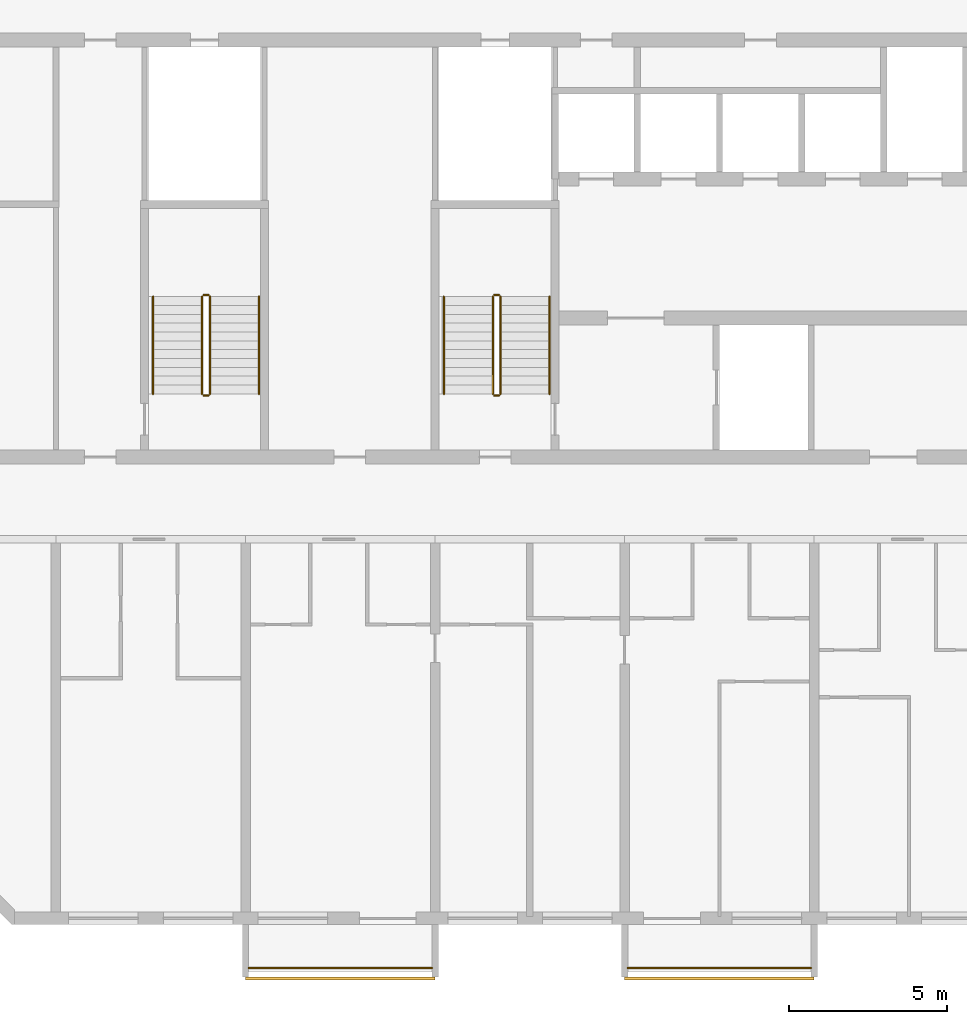
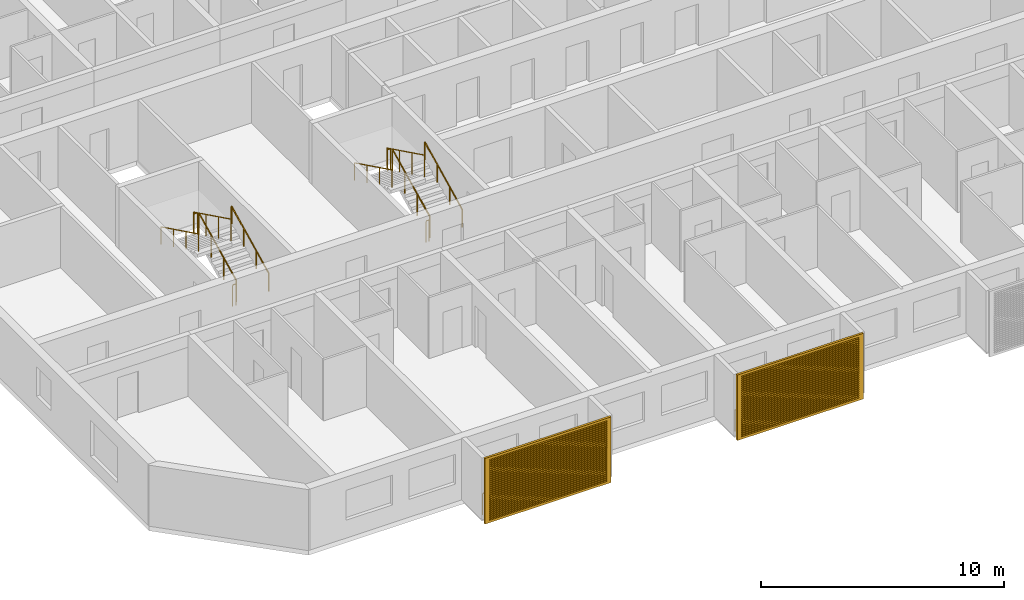
# One storey, part 15 of 33: 14 railings, 2 shading devices.
"""IFC4 building model written with IfcOpenShell, lengths in metres."""

from ifc_helpers import new_model, si_unit, direction, frame, origin, origin_2d, place, context, subcontext, project, spatial, polyline, circle, outline, extrude, source, transform, mapped, material, material_profile, profile_set, type_object, element, save


model = new_model("IFC4")

# Units and contexts
model_context = context("Model", 3, precision=1e-05, world=origin(), true_north=direction((0.0, 1.0)))
body_context = subcontext(model_context, "Body", "Model", "MODEL_VIEW")
ifc_project = project(units=[si_unit("LENGTHUNIT", "METRE"), si_unit("AREAUNIT", "SQUARE_METRE"), si_unit("VOLUMEUNIT", "CUBIC_METRE"), si_unit("PLANEANGLEUNIT", "RADIAN"), si_unit("MASSUNIT", "GRAM", prefix="KILO")], contexts=[model_context])

# Site, building, storey
site_placement = place(None, origin())
site = spatial("IfcSite", under=ifc_project, at=site_placement, CompositionType="ELEMENT")
building_placement = place(site_placement, origin())
building = spatial("IfcBuilding", under=site, at=building_placement, Name="Poui Terraces", CompositionType="ELEMENT")
storey_placement = place(building_placement, frame((0.0, 0.0, 135.60009765625)))
storey = spatial("IfcBuildingStorey", under=building, at=storey_placement, Name="L37", CompositionType="ELEMENT", Elevation=135.60009765625)

# Railings
ifc_material_1 = material(Name="Painted steel fretwork", Category="steel")
railing_type_1 = type_object("IfcRailingType", Name="BALCONY GUARD 1100", PredefinedType="GUARDRAIL", material=ifc_material_1)
for number, where, name in (
    (1, (24.10009765625, -1.570068359375, 0.0), "BALCONY GUARD"),
    (2, (36.10009765625, -1.570068359375, 0.0), "BALCONY GUARD"),
):
    element("IfcRailing", number, at=place(storey_placement, frame(where)), inside=storey, type_object=railing_type_1, Name=name, PredefinedType="GUARDRAIL", context=body_context, shape_type="SweptSolid", body=[
        extrude(circle(Radius=0.02392578125, at=origin_2d()), frame((0.0, 0.0, 1.076171875), z_axis=(1.0, 0.0, 0.0), x_axis=(0.0, 1.0, 0.0)), (0.0, 0.0, 1.0), 5.7998046875),
        extrude(circle(Radius=0.02099609375, at=origin_2d()), origin(), (0.0, 0.0, 1.0), 1.052001953125),
        extrude(circle(Radius=0.02099609375, at=origin_2d()), frame((0.966552734375, 0.0, 0.0)), (0.0, 0.0, 1.0), 1.052001953125),
        extrude(circle(Radius=0.02099609375, at=origin_2d()), frame((1.933349609375, 0.0, 0.0)), (0.0, 0.0, 1.0), 1.052001953125),
        extrude(circle(Radius=0.02099609375, at=origin_2d()), frame((2.89990234375, 0.0, 0.0)), (0.0, 0.0, 1.0), 1.052001953125),
        extrude(circle(Radius=0.02099609375, at=origin_2d()), frame((3.866455078125, 0.0, 0.0)), (0.0, 0.0, 1.0), 1.052001953125),
        extrude(circle(Radius=0.02099609375, at=origin_2d()), frame((4.833251953125, 0.0, 0.0)), (0.0, 0.0, 1.0), 1.052001953125),
        extrude(circle(Radius=0.02099609375, at=origin_2d()), frame((5.7998046875, 0.0, 0.0)), (0.0, 0.0, 1.0), 1.052001953125),
    ])
ifc_material_2 = material(Name="Galvanised steel balustrade", Category="steel")
railing_type_2 = type_object("IfcRailingType", Name="STAIR GUARD 1100", PredefinedType="GUARDRAIL", material=ifc_material_2)
railing_1_placement = place(storey_placement, frame((32.074951171875, 16.60009765625, 0.137451171875)))
element("IfcRailing", 3, at=railing_1_placement, inside=storey, type_object=railing_type_2, Name="L37 ST-CW stair guard 1", PredefinedType="GUARDRAIL", context=body_context, shape_type="SweptSolid", body=[
    extrude(circle(Radius=0.02392578125, at=origin_2d()), frame((0.0, 0.0, 1.076171875), z_axis=(0.0, 0.897606190399, 0.440798283751), x_axis=(-1.0, 0.0, 0.0)), (0.0, 0.0, 1.0), 3.43115234375),
    extrude(circle(Radius=0.02099609375, at=origin_2d()), origin(), (0.0, 0.0, 1.0), 1.052001953125),
    extrude(circle(Radius=0.02099609375, at=origin_2d()), frame((0.0, 1.026611328125, 0.504150390625)), (0.0, 0.0, 1.0), 1.052001953125),
    extrude(circle(Radius=0.02099609375, at=origin_2d()), frame((0.0, 2.05322265625, 1.00830078125)), (0.0, 0.0, 1.0), 1.052001953125),
    extrude(circle(Radius=0.02099609375, at=origin_2d()), frame((0.0, 3.079833984375, 1.512451171875)), (0.0, 0.0, 1.0), 1.052001953125),
])
railing_2_placement = place(storey_placement, frame((32.02490234375, 19.72998046875, 1.64990234375)))
element("IfcRailing", 4, at=railing_2_placement, inside=storey, type_object=railing_type_2, Name="L37 ST-CW stair guard 2", PredefinedType="GUARDRAIL", context=body_context, shape_type="SweptSolid", body=[
    extrude(circle(Radius=0.02392578125, at=origin_2d()), frame((0.0, 0.0, 1.076171875), z_axis=(-1.0, 0.0, 0.0), x_axis=(0.0, -1.0, 0.0)), (0.0, 0.0, 1.0), 0.14990234375),
    extrude(circle(Radius=0.02099609375, at=origin_2d()), origin(), (0.0, 0.0, 1.0), 1.052001953125),
    extrude(circle(Radius=0.02099609375, at=origin_2d()), frame((-0.14990234375, 0.0, 0.0)), (0.0, 0.0, 1.0), 1.052001953125),
])
railing_3_placement = place(storey_placement, frame((31.824951171875, 19.679931640625, 1.787353515625)))
element("IfcRailing", 5, at=railing_3_placement, inside=storey, type_object=railing_type_2, Name="L37 ST-CW stair guard 3", PredefinedType="GUARDRAIL", context=body_context, shape_type="SweptSolid", body=[
    extrude(circle(Radius=0.02392578125, at=origin_2d()), frame((0.0, 0.0, 1.076171875), z_axis=(0.0, -0.897606190399, 0.440798283751), x_axis=(1.0, 0.0, 0.0)), (0.0, 0.0, 1.0), 3.43115234375),
    extrude(circle(Radius=0.02099609375, at=origin_2d()), origin(), (0.0, 0.0, 1.0), 1.052001953125),
    extrude(circle(Radius=0.02099609375, at=origin_2d()), frame((0.0, -1.026611328125, 0.504150390625)), (0.0, 0.0, 1.0), 1.052001953125),
    extrude(circle(Radius=0.02099609375, at=origin_2d()), frame((0.0, -2.05322265625, 1.00830078125)), (0.0, 0.0, 1.0), 1.052001953125),
    extrude(circle(Radius=0.02099609375, at=origin_2d()), frame((0.0, -3.079833984375, 1.512451171875)), (0.0, 0.0, 1.0), 1.052001953125),
])
railing_4_placement = place(storey_placement, frame((32.02490234375, 16.550048828125, 0.0)))
element("IfcRailing", 6, at=railing_4_placement, inside=storey, type_object=railing_type_2, Name="L37 ST-CW stair guard 4", PredefinedType="GUARDRAIL", context=body_context, shape_type="SweptSolid", body=[
    extrude(circle(Radius=0.02392578125, at=origin_2d()), frame((0.0, 0.0, 1.076171875), z_axis=(-1.0, 0.0, 0.0), x_axis=(0.0, -1.0, 0.0)), (0.0, 0.0, 1.0), 0.14990234375),
    extrude(circle(Radius=0.02099609375, at=origin_2d()), origin(), (0.0, 0.0, 1.0), 1.052001953125),
    extrude(circle(Radius=0.02099609375, at=origin_2d()), frame((-0.14990234375, 0.0, 0.0)), (0.0, 0.0, 1.0), 1.052001953125),
])
railing_5_placement = place(storey_placement, frame((22.875, 16.60009765625, 0.137451171875)))
element("IfcRailing", 7, at=railing_5_placement, inside=storey, type_object=railing_type_2, Name="L37 ST-W stair guard 1", PredefinedType="GUARDRAIL", context=body_context, shape_type="SweptSolid", body=[
    extrude(circle(Radius=0.02392578125, at=origin_2d()), frame((0.0, 0.0, 1.076171875), z_axis=(0.0, 0.897606190399, 0.440798283751), x_axis=(-1.0, 0.0, 0.0)), (0.0, 0.0, 1.0), 3.43115234375),
    extrude(circle(Radius=0.02099609375, at=origin_2d()), origin(), (0.0, 0.0, 1.0), 1.052001953125),
    extrude(circle(Radius=0.02099609375, at=origin_2d()), frame((0.0, 1.026611328125, 0.504150390625)), (0.0, 0.0, 1.0), 1.052001953125),
    extrude(circle(Radius=0.02099609375, at=origin_2d()), frame((0.0, 2.05322265625, 1.00830078125)), (0.0, 0.0, 1.0), 1.052001953125),
    extrude(circle(Radius=0.02099609375, at=origin_2d()), frame((0.0, 3.079833984375, 1.512451171875)), (0.0, 0.0, 1.0), 1.052001953125),
])
railing_6_placement = place(storey_placement, frame((22.824951171875, 19.72998046875, 1.64990234375)))
element("IfcRailing", 8, at=railing_6_placement, inside=storey, type_object=railing_type_2, Name="L37 ST-W stair guard 2", PredefinedType="GUARDRAIL", context=body_context, shape_type="SweptSolid", body=[
    extrude(circle(Radius=0.02392578125, at=origin_2d()), frame((0.0, 0.0, 1.076171875), z_axis=(-1.0, 0.0, 0.0), x_axis=(0.0, -1.0, 0.0)), (0.0, 0.0, 1.0), 0.14990234375),
    extrude(circle(Radius=0.02099609375, at=origin_2d()), origin(), (0.0, 0.0, 1.0), 1.052001953125),
    extrude(circle(Radius=0.02099609375, at=origin_2d()), frame((-0.14990234375, 0.0, 0.0)), (0.0, 0.0, 1.0), 1.052001953125),
])
railing_7_placement = place(storey_placement, frame((22.625, 19.679931640625, 1.787353515625)))
element("IfcRailing", 9, at=railing_7_placement, inside=storey, type_object=railing_type_2, Name="L37 ST-W stair guard 3", PredefinedType="GUARDRAIL", context=body_context, shape_type="SweptSolid", body=[
    extrude(circle(Radius=0.02392578125, at=origin_2d()), frame((0.0, 0.0, 1.076171875), z_axis=(0.0, -0.897606190399, 0.440798283751), x_axis=(1.0, 0.0, 0.0)), (0.0, 0.0, 1.0), 3.43115234375),
    extrude(circle(Radius=0.02099609375, at=origin_2d()), origin(), (0.0, 0.0, 1.0), 1.052001953125),
    extrude(circle(Radius=0.02099609375, at=origin_2d()), frame((0.0, -1.026611328125, 0.504150390625)), (0.0, 0.0, 1.0), 1.052001953125),
    extrude(circle(Radius=0.02099609375, at=origin_2d()), frame((0.0, -2.05322265625, 1.00830078125)), (0.0, 0.0, 1.0), 1.052001953125),
    extrude(circle(Radius=0.02099609375, at=origin_2d()), frame((0.0, -3.079833984375, 1.512451171875)), (0.0, 0.0, 1.0), 1.052001953125),
])
railing_8_placement = place(storey_placement, frame((22.824951171875, 16.550048828125, 0.0)))
element("IfcRailing", 10, at=railing_8_placement, inside=storey, type_object=railing_type_2, Name="L37 ST-W stair guard 4", PredefinedType="GUARDRAIL", context=body_context, shape_type="SweptSolid", body=[
    extrude(circle(Radius=0.02392578125, at=origin_2d()), frame((0.0, 0.0, 1.076171875), z_axis=(-1.0, 0.0, 0.0), x_axis=(0.0, -1.0, 0.0)), (0.0, 0.0, 1.0), 0.14990234375),
    extrude(circle(Radius=0.02099609375, at=origin_2d()), origin(), (0.0, 0.0, 1.0), 1.052001953125),
    extrude(circle(Radius=0.02099609375, at=origin_2d()), frame((-0.14990234375, 0.0, 0.0)), (0.0, 0.0, 1.0), 1.052001953125),
])
ifc_material_3 = material(Name="Stainless steel handrail", Category="steel")
railing_type_3 = type_object("IfcRailingType", Name="STAIR HANDRAIL 900", PredefinedType="HANDRAIL", material=ifc_material_3)
railing_9_placement = place(storey_placement, frame((33.625, 16.60009765625, 0.137451171875)))
element("IfcRailing", 11, at=railing_9_placement, inside=storey, type_object=railing_type_3, Name="L37 ST-CW stair handrail 1", PredefinedType="HANDRAIL", context=body_context, shape_type="SweptSolid", body=[
    extrude(circle(Radius=0.02392578125, at=origin_2d()), frame((0.0, 0.0, 0.8759765625), z_axis=(0.0, 0.897606190399, 0.440798283751), x_axis=(-1.0, 0.0, 0.0)), (0.0, 0.0, 1.0), 3.43115234375),
    extrude(circle(Radius=0.02099609375, at=origin_2d()), origin(), (0.0, 0.0, 1.0), 0.851806640625),
    extrude(circle(Radius=0.02099609375, at=origin_2d()), frame((0.0, 1.026611328125, 0.504150390625)), (0.0, 0.0, 1.0), 0.851806640625),
    extrude(circle(Radius=0.02099609375, at=origin_2d()), frame((0.0, 2.05322265625, 1.00830078125)), (0.0, 0.0, 1.0), 0.851806640625),
    extrude(circle(Radius=0.02099609375, at=origin_2d()), frame((0.0, 3.079833984375, 1.512451171875)), (0.0, 0.0, 1.0), 0.851806640625),
])
railing_10_placement = place(storey_placement, frame((30.27490234375, 19.679931640625, 1.787353515625)))
element("IfcRailing", 12, at=railing_10_placement, inside=storey, type_object=railing_type_3, Name="L37 ST-CW stair handrail 2", PredefinedType="HANDRAIL", context=body_context, shape_type="SweptSolid", body=[
    extrude(circle(Radius=0.02392578125, at=origin_2d()), frame((0.0, 0.0, 0.8759765625), z_axis=(0.0, -0.897606190399, 0.440798283751), x_axis=(1.0, 0.0, 0.0)), (0.0, 0.0, 1.0), 3.43115234375),
    extrude(circle(Radius=0.02099609375, at=origin_2d()), origin(), (0.0, 0.0, 1.0), 0.851806640625),
    extrude(circle(Radius=0.02099609375, at=origin_2d()), frame((0.0, -1.026611328125, 0.504150390625)), (0.0, 0.0, 1.0), 0.851806640625),
    extrude(circle(Radius=0.02099609375, at=origin_2d()), frame((0.0, -2.05322265625, 1.00830078125)), (0.0, 0.0, 1.0), 0.851806640625),
    extrude(circle(Radius=0.02099609375, at=origin_2d()), frame((0.0, -3.079833984375, 1.512451171875)), (0.0, 0.0, 1.0), 0.851806640625),
])
railing_11_placement = place(storey_placement, frame((24.425048828125, 16.60009765625, 0.137451171875)))
element("IfcRailing", 13, at=railing_11_placement, inside=storey, type_object=railing_type_3, Name="L37 ST-W stair handrail 1", PredefinedType="HANDRAIL", context=body_context, shape_type="SweptSolid", body=[
    extrude(circle(Radius=0.02392578125, at=origin_2d()), frame((0.0, 0.0, 0.8759765625), z_axis=(0.0, 0.897606190399, 0.440798283751), x_axis=(-1.0, 0.0, 0.0)), (0.0, 0.0, 1.0), 3.43115234375),
    extrude(circle(Radius=0.02099609375, at=origin_2d()), origin(), (0.0, 0.0, 1.0), 0.851806640625),
    extrude(circle(Radius=0.02099609375, at=origin_2d()), frame((0.0, 1.026611328125, 0.504150390625)), (0.0, 0.0, 1.0), 0.851806640625),
    extrude(circle(Radius=0.02099609375, at=origin_2d()), frame((0.0, 2.05322265625, 1.00830078125)), (0.0, 0.0, 1.0), 0.851806640625),
    extrude(circle(Radius=0.02099609375, at=origin_2d()), frame((0.0, 3.079833984375, 1.512451171875)), (0.0, 0.0, 1.0), 0.851806640625),
])
railing_12_placement = place(storey_placement, frame((21.074951171875, 19.679931640625, 1.787353515625)))
element("IfcRailing", 14, at=railing_12_placement, inside=storey, type_object=railing_type_3, Name="L37 ST-W stair handrail 2", PredefinedType="HANDRAIL", context=body_context, shape_type="SweptSolid", body=[
    extrude(circle(Radius=0.02392578125, at=origin_2d()), frame((0.0, 0.0, 0.8759765625), z_axis=(0.0, -0.897606190399, 0.440798283751), x_axis=(1.0, 0.0, 0.0)), (0.0, 0.0, 1.0), 3.43115234375),
    extrude(circle(Radius=0.02099609375, at=origin_2d()), origin(), (0.0, 0.0, 1.0), 0.851806640625),
    extrude(circle(Radius=0.02099609375, at=origin_2d()), frame((0.0, -1.026611328125, 0.504150390625)), (0.0, 0.0, 1.0), 0.851806640625),
    extrude(circle(Radius=0.02099609375, at=origin_2d()), frame((0.0, -2.05322265625, 1.00830078125)), (0.0, 0.0, 1.0), 0.851806640625),
    extrude(circle(Radius=0.02099609375, at=origin_2d()), frame((0.0, -3.079833984375, 1.512451171875)), (0.0, 0.0, 1.0), 0.851806640625),
])

# Shading devices
ifc_material_4 = material(Name="Aluminium louvre", Category="aluminium")
ifc_material_profile = material_profile(ifc_material_4, outline(polyline([(-3.0, -1.64990234375), (3.0, -1.64990234375), (3.0, 1.64990234375), (-3.0, 1.64990234375), (-3.0, -1.64990234375)]), holes=[polyline([(-2.800048828125, -1.530029296875), (2.800048828125, -1.530029296875), (2.800048828125, -1.469970703125), (-2.800048828125, -1.469970703125), (-2.800048828125, -1.530029296875)]), polyline([(-2.800048828125, -1.429931640625), (2.800048828125, -1.429931640625), (2.800048828125, -1.3701171875), (-2.800048828125, -1.3701171875), (-2.800048828125, -1.429931640625)]), polyline([(-2.800048828125, -1.330078125), (2.800048828125, -1.330078125), (2.800048828125, -1.27001953125), (-2.800048828125, -1.27001953125), (-2.800048828125, -1.330078125)]), polyline([(-2.800048828125, -1.22998046875), (2.800048828125, -1.22998046875), (2.800048828125, -1.169921875), (-2.800048828125, -1.169921875), (-2.800048828125, -1.22998046875)]), polyline([(-2.800048828125, -1.1298828125), (2.800048828125, -1.1298828125), (2.800048828125, -1.070068359375), (-2.800048828125, -1.070068359375), (-2.800048828125, -1.1298828125)]), polyline([(-2.800048828125, -1.030029296875), (2.800048828125, -1.030029296875), (2.800048828125, -0.969970703125), (-2.800048828125, -0.969970703125), (-2.800048828125, -1.030029296875)]), polyline([(-2.800048828125, -0.929931640625), (2.800048828125, -0.929931640625), (2.800048828125, -0.8701171875), (-2.800048828125, -0.8701171875), (-2.800048828125, -0.929931640625)]), polyline([(-2.800048828125, -0.830078125), (2.800048828125, -0.830078125), (2.800048828125, -0.77001953125), (-2.800048828125, -0.77001953125), (-2.800048828125, -0.830078125)]), polyline([(-2.800048828125, -0.72998046875), (2.800048828125, -0.72998046875), (2.800048828125, -0.669921875), (-2.800048828125, -0.669921875), (-2.800048828125, -0.72998046875)]), polyline([(-2.800048828125, -0.6298828125), (2.800048828125, -0.6298828125), (2.800048828125, -0.570068359375), (-2.800048828125, -0.570068359375), (-2.800048828125, -0.6298828125)]), polyline([(-2.800048828125, -0.530029296875), (2.800048828125, -0.530029296875), (2.800048828125, -0.469970703125), (-2.800048828125, -0.469970703125), (-2.800048828125, -0.530029296875)]), polyline([(-2.800048828125, -0.429931640625), (2.800048828125, -0.429931640625), (2.800048828125, -0.3701171875), (-2.800048828125, -0.3701171875), (-2.800048828125, -0.429931640625)]), polyline([(-2.800048828125, -0.330078125), (2.800048828125, -0.330078125), (2.800048828125, -0.27001953125), (-2.800048828125, -0.27001953125), (-2.800048828125, -0.330078125)]), polyline([(-2.800048828125, -0.22998046875), (2.800048828125, -0.22998046875), (2.800048828125, -0.169921875), (-2.800048828125, -0.169921875), (-2.800048828125, -0.22998046875)]), polyline([(-2.800048828125, -0.1298828125), (2.800048828125, -0.1298828125), (2.800048828125, -0.070068359375), (-2.800048828125, -0.070068359375), (-2.800048828125, -0.1298828125)]), polyline([(-2.800048828125, -0.030029296875), (2.800048828125, -0.030029296875), (2.800048828125, 0.030029296875), (-2.800048828125, 0.030029296875), (-2.800048828125, -0.030029296875)]), polyline([(-2.800048828125, 0.070068359375), (2.800048828125, 0.070068359375), (2.800048828125, 0.1298828125), (-2.800048828125, 0.1298828125), (-2.800048828125, 0.070068359375)]), polyline([(-2.800048828125, 0.169921875), (2.800048828125, 0.169921875), (2.800048828125, 0.22998046875), (-2.800048828125, 0.22998046875), (-2.800048828125, 0.169921875)]), polyline([(-2.800048828125, 0.27001953125), (2.800048828125, 0.27001953125), (2.800048828125, 0.330078125), (-2.800048828125, 0.330078125), (-2.800048828125, 0.27001953125)]), polyline([(-2.800048828125, 0.3701171875), (2.800048828125, 0.3701171875), (2.800048828125, 0.429931640625), (-2.800048828125, 0.429931640625), (-2.800048828125, 0.3701171875)]), polyline([(-2.800048828125, 0.469970703125), (2.800048828125, 0.469970703125), (2.800048828125, 0.530029296875), (-2.800048828125, 0.530029296875), (-2.800048828125, 0.469970703125)]), polyline([(-2.800048828125, 0.570068359375), (2.800048828125, 0.570068359375), (2.800048828125, 0.6298828125), (-2.800048828125, 0.6298828125), (-2.800048828125, 0.570068359375)]), polyline([(-2.800048828125, 0.669921875), (2.800048828125, 0.669921875), (2.800048828125, 0.72998046875), (-2.800048828125, 0.72998046875), (-2.800048828125, 0.669921875)]), polyline([(-2.800048828125, 0.77001953125), (2.800048828125, 0.77001953125), (2.800048828125, 0.830078125), (-2.800048828125, 0.830078125), (-2.800048828125, 0.77001953125)]), polyline([(-2.800048828125, 0.8701171875), (2.800048828125, 0.8701171875), (2.800048828125, 0.929931640625), (-2.800048828125, 0.929931640625), (-2.800048828125, 0.8701171875)]), polyline([(-2.800048828125, 0.969970703125), (2.800048828125, 0.969970703125), (2.800048828125, 1.030029296875), (-2.800048828125, 1.030029296875), (-2.800048828125, 0.969970703125)]), polyline([(-2.800048828125, 1.070068359375), (2.800048828125, 1.070068359375), (2.800048828125, 1.1298828125), (-2.800048828125, 1.1298828125), (-2.800048828125, 1.070068359375)]), polyline([(-2.800048828125, 1.169921875), (2.800048828125, 1.169921875), (2.800048828125, 1.22998046875), (-2.800048828125, 1.22998046875), (-2.800048828125, 1.169921875)]), polyline([(-2.800048828125, 1.27001953125), (2.800048828125, 1.27001953125), (2.800048828125, 1.330078125), (-2.800048828125, 1.330078125), (-2.800048828125, 1.27001953125)]), polyline([(-2.800048828125, 1.3701171875), (2.800048828125, 1.3701171875), (2.800048828125, 1.429931640625), (-2.800048828125, 1.429931640625), (-2.800048828125, 1.3701171875)]), polyline([(-2.800048828125, 1.469970703125), (2.800048828125, 1.469970703125), (2.800048828125, 1.530029296875), (-2.800048828125, 1.530029296875), (-2.800048828125, 1.469970703125)])]), Name="JALOUSIE LOUVRE SHUTTER 6000X3300")
ifc_profile_set = profile_set([ifc_material_profile], Name="Aluminium louvre")
shading_device_type = type_object("IfcShadingDeviceType", Name="JALOUSIE LOUVRE SHUTTER 6000X3300", PredefinedType="JALOUSIE", material=ifc_profile_set)
shared_shape = source(origin(), body_context, "Body", "SweptSolid", [
    extrude(outline(polyline([(-3.0, -1.64990234375), (3.0, -1.64990234375), (3.0, 1.64990234375), (-3.0, 1.64990234375), (-3.0, -1.64990234375)]), holes=[polyline([(-2.800048828125, -1.530029296875), (2.800048828125, -1.530029296875), (2.800048828125, -1.469970703125), (-2.800048828125, -1.469970703125), (-2.800048828125, -1.530029296875)]), polyline([(-2.800048828125, -1.429931640625), (2.800048828125, -1.429931640625), (2.800048828125, -1.3701171875), (-2.800048828125, -1.3701171875), (-2.800048828125, -1.429931640625)]), polyline([(-2.800048828125, -1.330078125), (2.800048828125, -1.330078125), (2.800048828125, -1.27001953125), (-2.800048828125, -1.27001953125), (-2.800048828125, -1.330078125)]), polyline([(-2.800048828125, -1.22998046875), (2.800048828125, -1.22998046875), (2.800048828125, -1.169921875), (-2.800048828125, -1.169921875), (-2.800048828125, -1.22998046875)]), polyline([(-2.800048828125, -1.1298828125), (2.800048828125, -1.1298828125), (2.800048828125, -1.070068359375), (-2.800048828125, -1.070068359375), (-2.800048828125, -1.1298828125)]), polyline([(-2.800048828125, -1.030029296875), (2.800048828125, -1.030029296875), (2.800048828125, -0.969970703125), (-2.800048828125, -0.969970703125), (-2.800048828125, -1.030029296875)]), polyline([(-2.800048828125, -0.929931640625), (2.800048828125, -0.929931640625), (2.800048828125, -0.8701171875), (-2.800048828125, -0.8701171875), (-2.800048828125, -0.929931640625)]), polyline([(-2.800048828125, -0.830078125), (2.800048828125, -0.830078125), (2.800048828125, -0.77001953125), (-2.800048828125, -0.77001953125), (-2.800048828125, -0.830078125)]), polyline([(-2.800048828125, -0.72998046875), (2.800048828125, -0.72998046875), (2.800048828125, -0.669921875), (-2.800048828125, -0.669921875), (-2.800048828125, -0.72998046875)]), polyline([(-2.800048828125, -0.6298828125), (2.800048828125, -0.6298828125), (2.800048828125, -0.570068359375), (-2.800048828125, -0.570068359375), (-2.800048828125, -0.6298828125)]), polyline([(-2.800048828125, -0.530029296875), (2.800048828125, -0.530029296875), (2.800048828125, -0.469970703125), (-2.800048828125, -0.469970703125), (-2.800048828125, -0.530029296875)]), polyline([(-2.800048828125, -0.429931640625), (2.800048828125, -0.429931640625), (2.800048828125, -0.3701171875), (-2.800048828125, -0.3701171875), (-2.800048828125, -0.429931640625)]), polyline([(-2.800048828125, -0.330078125), (2.800048828125, -0.330078125), (2.800048828125, -0.27001953125), (-2.800048828125, -0.27001953125), (-2.800048828125, -0.330078125)]), polyline([(-2.800048828125, -0.22998046875), (2.800048828125, -0.22998046875), (2.800048828125, -0.169921875), (-2.800048828125, -0.169921875), (-2.800048828125, -0.22998046875)]), polyline([(-2.800048828125, -0.1298828125), (2.800048828125, -0.1298828125), (2.800048828125, -0.070068359375), (-2.800048828125, -0.070068359375), (-2.800048828125, -0.1298828125)]), polyline([(-2.800048828125, -0.030029296875), (2.800048828125, -0.030029296875), (2.800048828125, 0.030029296875), (-2.800048828125, 0.030029296875), (-2.800048828125, -0.030029296875)]), polyline([(-2.800048828125, 0.070068359375), (2.800048828125, 0.070068359375), (2.800048828125, 0.1298828125), (-2.800048828125, 0.1298828125), (-2.800048828125, 0.070068359375)]), polyline([(-2.800048828125, 0.169921875), (2.800048828125, 0.169921875), (2.800048828125, 0.22998046875), (-2.800048828125, 0.22998046875), (-2.800048828125, 0.169921875)]), polyline([(-2.800048828125, 0.27001953125), (2.800048828125, 0.27001953125), (2.800048828125, 0.330078125), (-2.800048828125, 0.330078125), (-2.800048828125, 0.27001953125)]), polyline([(-2.800048828125, 0.3701171875), (2.800048828125, 0.3701171875), (2.800048828125, 0.429931640625), (-2.800048828125, 0.429931640625), (-2.800048828125, 0.3701171875)]), polyline([(-2.800048828125, 0.469970703125), (2.800048828125, 0.469970703125), (2.800048828125, 0.530029296875), (-2.800048828125, 0.530029296875), (-2.800048828125, 0.469970703125)]), polyline([(-2.800048828125, 0.570068359375), (2.800048828125, 0.570068359375), (2.800048828125, 0.6298828125), (-2.800048828125, 0.6298828125), (-2.800048828125, 0.570068359375)]), polyline([(-2.800048828125, 0.669921875), (2.800048828125, 0.669921875), (2.800048828125, 0.72998046875), (-2.800048828125, 0.72998046875), (-2.800048828125, 0.669921875)]), polyline([(-2.800048828125, 0.77001953125), (2.800048828125, 0.77001953125), (2.800048828125, 0.830078125), (-2.800048828125, 0.830078125), (-2.800048828125, 0.77001953125)]), polyline([(-2.800048828125, 0.8701171875), (2.800048828125, 0.8701171875), (2.800048828125, 0.929931640625), (-2.800048828125, 0.929931640625), (-2.800048828125, 0.8701171875)]), polyline([(-2.800048828125, 0.969970703125), (2.800048828125, 0.969970703125), (2.800048828125, 1.030029296875), (-2.800048828125, 1.030029296875), (-2.800048828125, 0.969970703125)]), polyline([(-2.800048828125, 1.070068359375), (2.800048828125, 1.070068359375), (2.800048828125, 1.1298828125), (-2.800048828125, 1.1298828125), (-2.800048828125, 1.070068359375)]), polyline([(-2.800048828125, 1.169921875), (2.800048828125, 1.169921875), (2.800048828125, 1.22998046875), (-2.800048828125, 1.22998046875), (-2.800048828125, 1.169921875)]), polyline([(-2.800048828125, 1.27001953125), (2.800048828125, 1.27001953125), (2.800048828125, 1.330078125), (-2.800048828125, 1.330078125), (-2.800048828125, 1.27001953125)]), polyline([(-2.800048828125, 1.3701171875), (2.800048828125, 1.3701171875), (2.800048828125, 1.429931640625), (-2.800048828125, 1.429931640625), (-2.800048828125, 1.3701171875)]), polyline([(-2.800048828125, 1.469970703125), (2.800048828125, 1.469970703125), (2.800048828125, 1.530029296875), (-2.800048828125, 1.530029296875), (-2.800048828125, 1.469970703125)])]), origin(), (0.0, 0.0, 1.0), 0.099853515625),
])
for number, where, z_axis, x_axis, name in (
    (15, (27.0, -1.85009765625, 1.449951171875), (0.0, -1.0, 0.0), (1.0, 0.0, 0.0), "JALOUSIE LOUVRE SHUTTER"),
    (16, (39.0, -1.85009765625, 1.449951171875), (0.0, -1.0, 0.0), (1.0, 0.0, 0.0), "JALOUSIE LOUVRE SHUTTER"),
):
    element("IfcShadingDevice", number, at=place(storey_placement, frame(where, z_axis=z_axis, x_axis=x_axis)), inside=storey, type_object=shading_device_type, Name=name, PredefinedType="JALOUSIE", context=body_context, shape_type="MappedRepresentation", body=[
        mapped(shared_shape, transform((0.0, 0.0, 0.0))),
    ])

save(model, "model.ifc")
